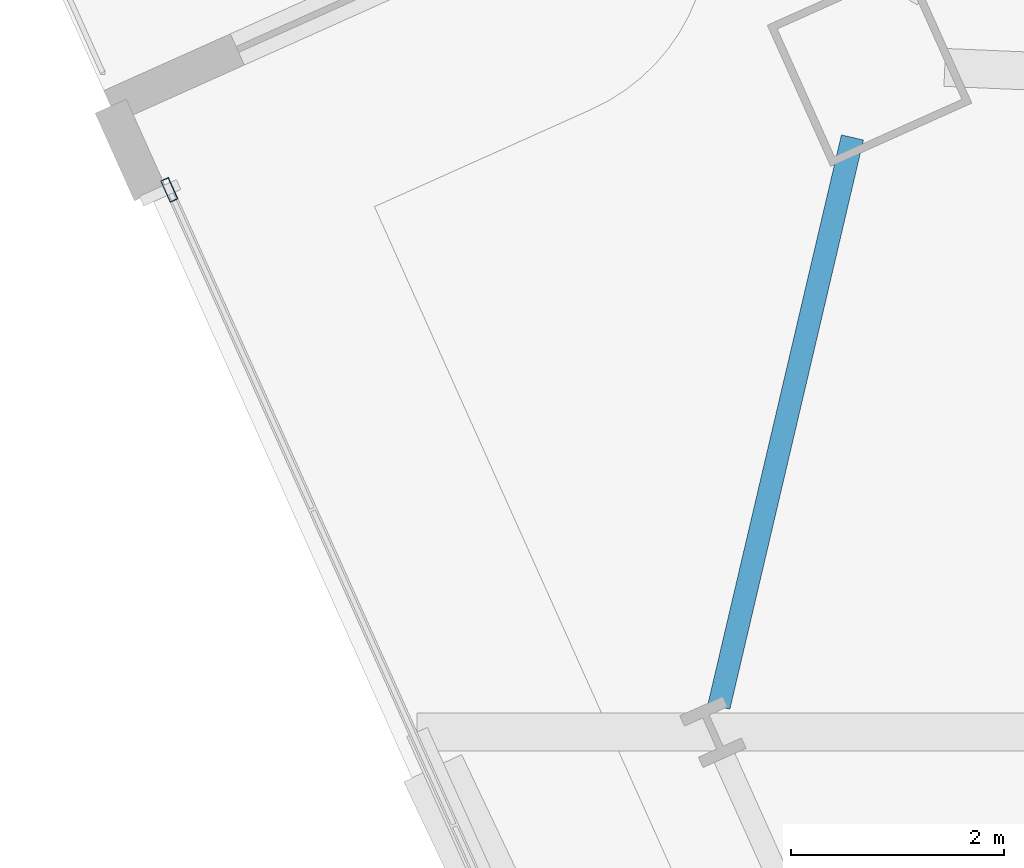
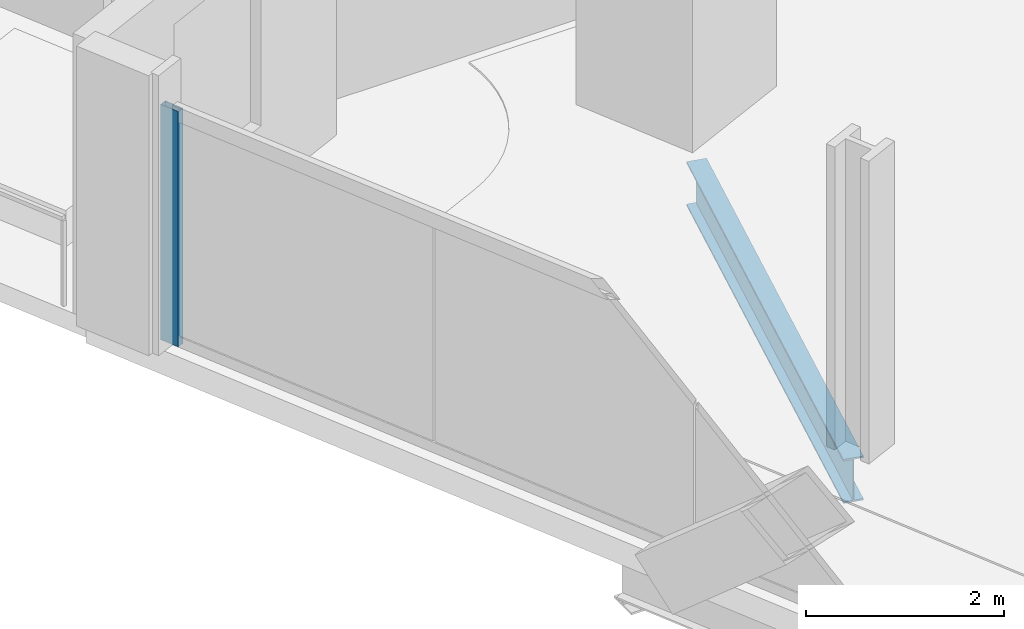
# One storey, part 14 of 38: 1 beam, 1 member, 1 element without a shape of its own.
"""IFC4 building model written with IfcOpenShell, lengths in metres."""

from ifc_helpers import new_model, si_unit, direction, frame, origin, origin_2d, place, context, subcontext, project, spatial, hollow_rectangle, i_section, extrude, material, material_profile, profile_set, type_object, element, aggregate, save


model = new_model("IFC4")

# Units and contexts
model_context = context("Model", 3, precision=1e-05, world=origin(), true_north=direction((0.0, 1.0)))
body_context = subcontext(model_context, "Body", "Model", "MODEL_VIEW")
ifc_project = project(units=[si_unit("LENGTHUNIT", "METRE"), si_unit("AREAUNIT", "SQUARE_METRE"), si_unit("VOLUMEUNIT", "CUBIC_METRE"), si_unit("PLANEANGLEUNIT", "RADIAN"), si_unit("MASSUNIT", "GRAM", prefix="KILO")], contexts=[model_context])

# Site, building, storey
site_placement = place(None, origin())
site = spatial("IfcSite", under=ifc_project, at=site_placement, CompositionType="ELEMENT")
building_placement = place(site_placement, origin())
building = spatial("IfcBuilding", under=site, at=building_placement, Name="Haldenkirk Collegiate Tower", CompositionType="ELEMENT")
storey_placement = place(building_placement, frame((0.0, 0.0, 109.199951171875)))
storey = spatial("IfcBuildingStorey", under=building, at=storey_placement, Name="L26", CompositionType="ELEMENT", Elevation=109.199951171875)

# Beam
ifc_material_1 = material(Name="Steel ASTM A992 Grade 50", Category="steel")
ifc_material_profile_1 = material_profile(ifc_material_1, i_section(OverallWidth=0.2119140625, OverallDepth=0.5439453125, WebThickness=0.01318359375, FlangeThickness=0.021240234375, at=origin_2d()), Name="W21X83")
ifc_profile_set_1 = profile_set([ifc_material_profile_1], Name="Steel ASTM A992 Grade 50")
beam_type = type_object("IfcBeamType", Name="BM-SPANDREL-W21X83", PredefinedType="SPANDREL", material=ifc_profile_set_1)
beam_placement = place(storey_placement, frame((10.624755859375, 34.0087890625, -0.572021484375), z_axis=(-0.228373515871, -0.97357359108, 0.0), x_axis=(0.97357359108, -0.228373515871, 0.0)))
element("IfcBeam", 1, at=beam_placement, inside=storey, type_object=beam_type, Name="L26 perimeter spandrel beam 13", PredefinedType="SPANDREL", context=body_context, shape_type="SweptSolid", body=[
    extrude(i_section(OverallWidth=0.2119140625, OverallDepth=0.5439453125, WebThickness=0.01318359375, FlangeThickness=0.021240234375, at=origin_2d()), origin(), (0.0, 0.0, 1.0), 5.477783203125),
])

# Curtain wall, member
ifc_material_2 = material(Name="Anodised architectural bronze aluminium", Category="aluminium")
curtain_wall_type = type_object("IfcCurtainWallType", Name="CW-SYS1-CONVEX-LOW", PredefinedType="USERDEFINED", material=ifc_material_2)
curtain_wall_placement = place(storey_placement, origin())
curtain_wall = element("IfcCurtainWall", 2, at=curtain_wall_placement, inside=storey, type_object=curtain_wall_type, Name="L26 Lower tower convex bronze-framed unitised curtain wall", ObjectType="UNITISED CURTAIN WALL", PredefinedType="USERDEFINED")
ifc_material_profile_2 = material_profile(ifc_material_2, hollow_rectangle(XDim=0.080078125, YDim=0.219970703125, WallThickness=0.0048828125, at=origin_2d()), Name="CW-MUL-1A")
ifc_profile_set_2 = profile_set([ifc_material_profile_2], Name="Anodised architectural bronze aluminium")
member_type = type_object("IfcMemberType", Name="CW-MUL-1A", PredefinedType="MULLION", material=ifc_profile_set_2)
member_placement = place(storey_placement, frame((4.22314453125, 33.51708984375, 0.0), z_axis=(0.0, 0.0, 1.0), x_axis=(-0.912477862361, -0.409126081669, 0.0)))
member = element("IfcMember", 3, at=member_placement, type_object=member_type, Name="CW-1A mullion 5", PredefinedType="MULLION", context=body_context, shape_type="SweptSolid", body=[
    extrude(hollow_rectangle(XDim=0.080078125, YDim=0.219970703125, WallThickness=0.0048828125, at=origin_2d()), origin(), (0.0, 0.0, 1.0), 2.901123046875),
])
aggregate(curtain_wall, [member])

save(model, "model.ifc")
